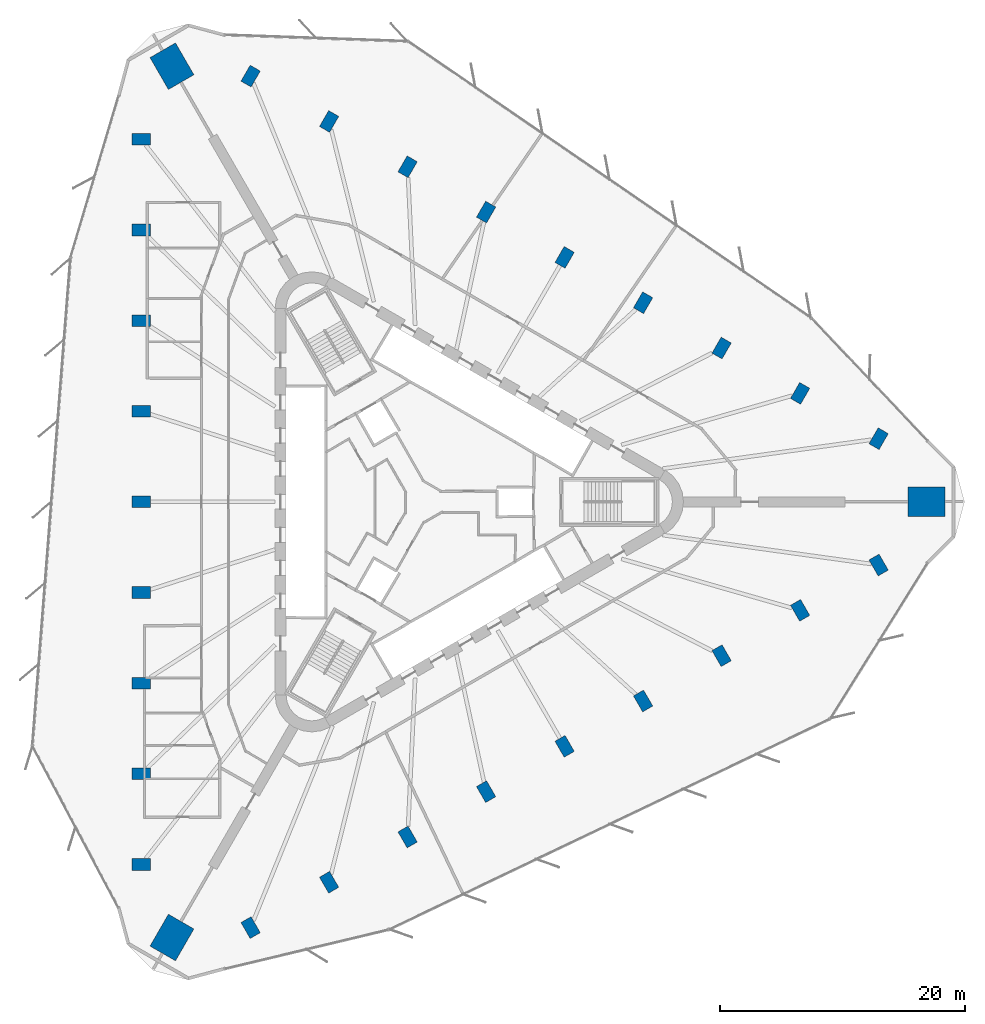
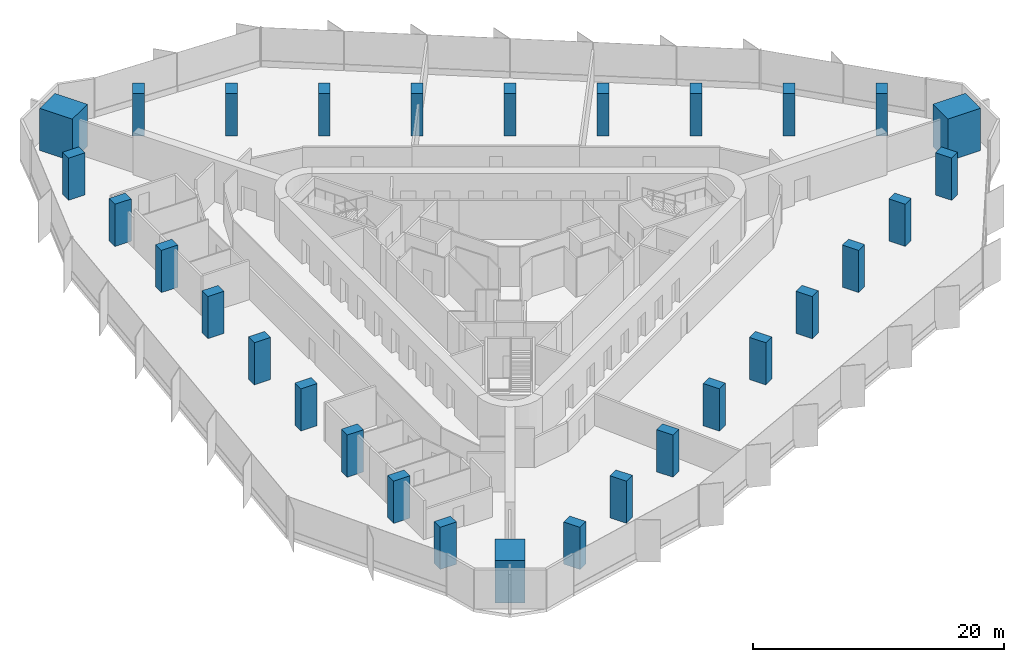
# One storey, part 1 of 15: 30 columns.
"""IFC4 building model written with IfcOpenShell, lengths in metres."""

from ifc_helpers import new_model, si_unit, direction, frame, origin, origin_2d, place, context, subcontext, project, spatial, rectangle, extrude, material, material_profile, profile_set, type_object, element, save


model = new_model("IFC4")

# Units and contexts
model_context = context("Model", 3, precision=1e-05, world=origin(), true_north=direction((0.0, 1.0)))
body_context = subcontext(model_context, "Body", "Model", "MODEL_VIEW")
ifc_project = project(units=[si_unit("LENGTHUNIT", "METRE"), si_unit("AREAUNIT", "SQUARE_METRE"), si_unit("VOLUMEUNIT", "CUBIC_METRE"), si_unit("PLANEANGLEUNIT", "RADIAN"), si_unit("MASSUNIT", "GRAM", prefix="KILO")], contexts=[model_context])

# Site, building, storey
site_placement = place(None, origin())
site = spatial("IfcSite", under=ifc_project, at=site_placement, CompositionType="ELEMENT")
building_placement = place(site_placement, origin())
building = spatial("IfcBuilding", under=site, at=building_placement, Name="Tanit Gate Tower", CompositionType="ELEMENT")
storey_placement = place(building_placement, frame((0.0, 0.0, 98.800048828125)))
storey = spatial("IfcBuildingStorey", under=building, at=storey_placement, Name="L20", CompositionType="ELEMENT", Elevation=98.800048828125)

# Columns
ifc_material_1 = material(Name="Concrete C70/85", Category="concrete")
ifc_material_profile_1 = material_profile(ifc_material_1, rectangle(XDim=3.0, YDim=2.39990234375, at=origin_2d()), Name="RC 3000x2400")
ifc_profile_set_1 = profile_set([ifc_material_profile_1], Name="Concrete C70/85")
column_type_1 = type_object("IfcColumnType", Name="MEGA COLUMN 3000x2400 C70/85", PredefinedType="COLUMN", material=ifc_profile_set_1)
for number, where, z_axis, x_axis, name in (
    (1, (41.020751953125, 0.0, 0.0), (0.0, 0.0, 1.0), (1.0, 0.0, 0.0), "MEGA COLUMN"),
    (2, (-20.510498046875, 35.52490234375, 0.0), (0.0, 0.0, 1.0), (-0.5, 0.866025403784, 0.0), "MEGA COLUMN"),
    (3, (-20.510498046875, -35.52490234375, 0.0), (0.0, 0.0, 1.0), (-0.5, -0.866025403784, 0.0), "MEGA COLUMN"),
):
    element("IfcColumn", number, at=place(storey_placement, frame(where, z_axis=z_axis, x_axis=x_axis)), inside=storey, type_object=column_type_1, Name=name, PredefinedType="COLUMN", context=body_context, shape_type="SweptSolid", body=[
        extrude(rectangle(XDim=3.0, YDim=2.39990234375, at=origin_2d()), origin(), (0.0, 0.0, 1.0), 4.099853515625),
    ])
ifc_material_2 = material(Name="Concrete C60/75", Category="concrete")
ifc_material_profile_2 = material_profile(ifc_material_2, rectangle(XDim=1.5, YDim=0.949951171875, at=origin_2d()), Name="RC 1500x950")
ifc_profile_set_2 = profile_set([ifc_material_profile_2], Name="Concrete C60/75")
column_type_2 = type_object("IfcColumnType", Name="PERIMETER COLUMN 1500x950 C60/75", PredefinedType="COLUMN", material=ifc_profile_set_2)
for number, where, z_axis, x_axis, name in (
    (4, (-23.017822265625, 29.56591796875, 0.0), (0.0, 0.0, 1.0), (-1.0, 0.0, 0.0), "PERIMETER COLUMN"),
    (5, (-23.017822265625, 22.17431640625, 0.0), (0.0, 0.0, 1.0), (-1.0, 0.0, 0.0), "PERIMETER COLUMN"),
    (6, (-23.017822265625, 14.782958984375, 0.0), (0.0, 0.0, 1.0), (-1.0, 0.0, 0.0), "PERIMETER COLUMN"),
    (7, (-23.017822265625, 7.391357421875, 0.0), (0.0, 0.0, 1.0), (-1.0, 0.0, 0.0), "PERIMETER COLUMN"),
    (8, (-23.017822265625, 0.0, 0.0), (0.0, 0.0, 1.0), (-1.0, 0.0, 0.0), "PERIMETER COLUMN"),
    (9, (-23.017822265625, -7.391357421875, 0.0), (0.0, 0.0, 1.0), (-1.0, 0.0, 0.0), "PERIMETER COLUMN"),
    (10, (-23.017822265625, -14.782958984375, 0.0), (0.0, 0.0, 1.0), (-1.0, 0.0, 0.0), "PERIMETER COLUMN"),
    (11, (-23.017822265625, -22.17431640625, 0.0), (0.0, 0.0, 1.0), (-1.0, 0.0, 0.0), "PERIMETER COLUMN"),
    (12, (-23.017822265625, -29.56591796875, 0.0), (0.0, 0.0, 1.0), (-1.0, 0.0, 0.0), "PERIMETER COLUMN"),
    (13, (37.11376953125, 5.151123046875, 0.0), (0.0, 0.0, 1.0), (0.5, 0.866025403784, 0.0), "PERIMETER COLUMN"),
    (14, (30.71240234375, 8.846923828125, 0.0), (0.0, 0.0, 1.0), (0.5, 0.866025403784, 0.0), "PERIMETER COLUMN"),
    (15, (24.311279296875, 12.542724609375, 0.0), (0.0, 0.0, 1.0), (0.5, 0.866025403784, 0.0), "PERIMETER COLUMN"),
    (16, (17.91015625, 16.23828125, 0.0), (0.0, 0.0, 1.0), (0.5, 0.866025403784, 0.0), "PERIMETER COLUMN"),
    (17, (11.509033203125, 19.93408203125, 0.0), (0.0, 0.0, 1.0), (0.5, 0.866025403784, 0.0), "PERIMETER COLUMN"),
    (18, (5.10791015625, 23.6298828125, 0.0), (0.0, 0.0, 1.0), (0.5, 0.866025403784, 0.0), "PERIMETER COLUMN"),
    (19, (-1.29345703125, 27.32568359375, 0.0), (0.0, 0.0, 1.0), (0.5, 0.866025403784, 0.0), "PERIMETER COLUMN"),
    (20, (-7.694580078125, 31.021240234375, 0.0), (0.0, 0.0, 1.0), (0.5, 0.866025403784, 0.0), "PERIMETER COLUMN"),
    (21, (-14.095703125, 34.717041015625, 0.0), (0.0, 0.0, 1.0), (0.5, 0.866025403784, 0.0), "PERIMETER COLUMN"),
    (22, (-14.095703125, -34.717041015625, 0.0), (0.0, 0.0, 1.0), (0.5, -0.866025403784, 0.0), "PERIMETER COLUMN"),
    (23, (-7.694580078125, -31.021240234375, 0.0), (0.0, 0.0, 1.0), (0.5, -0.866025403784, 0.0), "PERIMETER COLUMN"),
    (24, (-1.29345703125, -27.32568359375, 0.0), (0.0, 0.0, 1.0), (0.5, -0.866025403784, 0.0), "PERIMETER COLUMN"),
    (25, (5.10791015625, -23.6298828125, 0.0), (0.0, 0.0, 1.0), (0.5, -0.866025403784, 0.0), "PERIMETER COLUMN"),
    (26, (11.509033203125, -19.93408203125, 0.0), (0.0, 0.0, 1.0), (0.5, -0.866025403784, 0.0), "PERIMETER COLUMN"),
    (27, (17.91015625, -16.23828125, 0.0), (0.0, 0.0, 1.0), (0.5, -0.866025403784, 0.0), "PERIMETER COLUMN"),
    (28, (24.311279296875, -12.542724609375, 0.0), (0.0, 0.0, 1.0), (0.5, -0.866025403784, 0.0), "PERIMETER COLUMN"),
    (29, (30.71240234375, -8.846923828125, 0.0), (0.0, 0.0, 1.0), (0.5, -0.866025403784, 0.0), "PERIMETER COLUMN"),
    (30, (37.11376953125, -5.151123046875, 0.0), (0.0, 0.0, 1.0), (0.5, -0.866025403784, 0.0), "PERIMETER COLUMN"),
):
    element("IfcColumn", number, at=place(storey_placement, frame(where, z_axis=z_axis, x_axis=x_axis)), inside=storey, type_object=column_type_2, Name=name, PredefinedType="COLUMN", context=body_context, shape_type="SweptSolid", body=[
        extrude(rectangle(XDim=1.5, YDim=0.949951171875, at=origin_2d()), origin(), (0.0, 0.0, 1.0), 4.099853515625),
    ])

save(model, "model.ifc")
